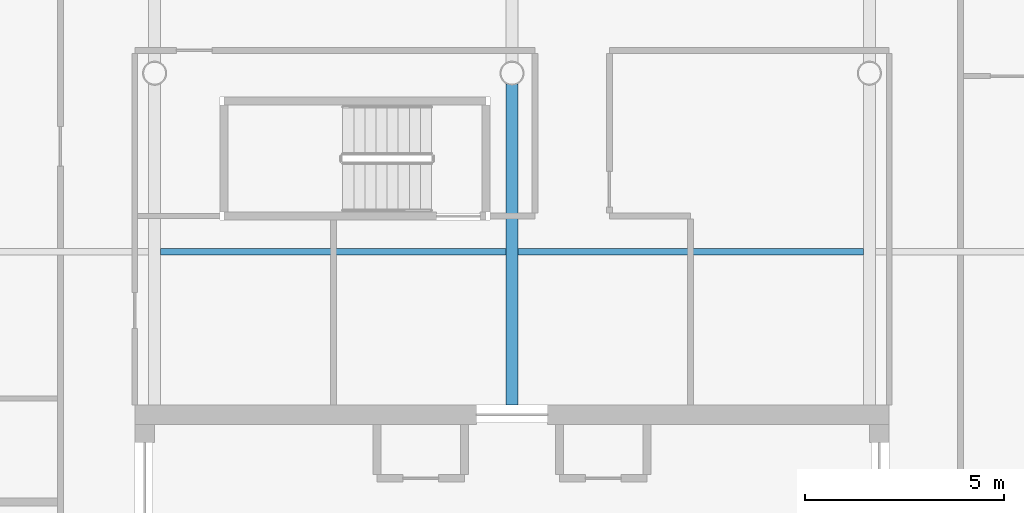
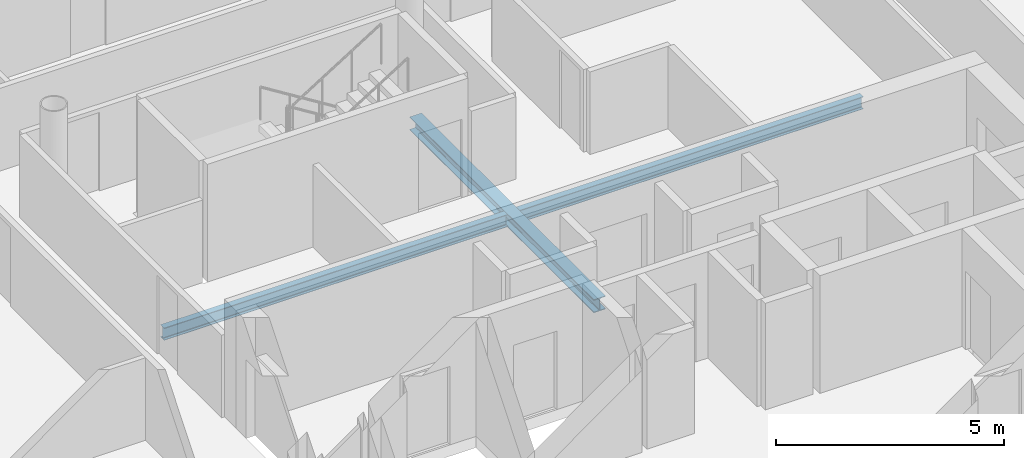
# One storey, part 6 of 19: 3 beams.
"""IFC4 building model written with IfcOpenShell, lengths in metres."""

from ifc_helpers import new_model, si_unit, direction, frame, origin, origin_2d, place, context, subcontext, project, spatial, i_section, extrude, material, material_profile, profile_set, type_object, element, save


model = new_model("IFC4")

# Units and contexts
model_context = context("Model", 3, precision=1e-05, world=origin(), true_north=direction((0.0, 1.0)))
body_context = subcontext(model_context, "Body", "Model", "MODEL_VIEW")
ifc_project = project(units=[si_unit("LENGTHUNIT", "METRE"), si_unit("AREAUNIT", "SQUARE_METRE"), si_unit("VOLUMEUNIT", "CUBIC_METRE"), si_unit("PLANEANGLEUNIT", "RADIAN"), si_unit("MASSUNIT", "GRAM", prefix="KILO")], contexts=[model_context])

# Site, building, storey
site_placement = place(None, origin())
site = spatial("IfcSite", under=ifc_project, at=site_placement, CompositionType="ELEMENT")
building_placement = place(site_placement, origin())
building = spatial("IfcBuilding", under=site, at=building_placement, Name="Tskaro Facet Tower", CompositionType="ELEMENT")
storey_placement = place(building_placement, frame((0.0, 0.0, 206.85009765625)))
storey = spatial("IfcBuildingStorey", under=building, at=storey_placement, Name="L53", CompositionType="ELEMENT", Elevation=206.85009765625)

# Beams
ifc_material = material(Name="Steel S355J2", Category="steel")
ifc_material_profile_1 = material_profile(ifc_material, i_section(OverallWidth=0.300048828125, OverallDepth=0.35009765625, WebThickness=0.010009765625, FlangeThickness=0.017578125, FilletRadius=0.027099609375, at=origin_2d()), Name="HE 360 A")
ifc_profile_set_1 = profile_set([ifc_material_profile_1], Name="Steel S355J2")
beam_type_1 = type_object("IfcBeamType", Name="HE 360 A girder", PredefinedType="BEAM", material=ifc_profile_set_1)
beam_placement = place(storey_placement, frame((0.0, 0.64990234375, -0.315185546875), z_axis=(0.0, 1.0, 0.0), x_axis=(-1.0, 0.0, 0.0)))
element("IfcBeam", 1, at=beam_placement, inside=storey, type_object=beam_type_1, Name="HE 360 A GB4-2-4", PredefinedType="BEAM", context=body_context, shape_type="SweptSolid", body=[
    extrude(i_section(OverallWidth=0.300048828125, OverallDepth=0.35009765625, WebThickness=0.010009765625, FlangeThickness=0.017578125, FilletRadius=0.027099609375, at=origin_2d()), origin(), (0.0, 0.0, 1.0), 8.0751953125),
])
ifc_material_profile_2 = material_profile(ifc_material, i_section(OverallWidth=0.159912109375, OverallDepth=0.330078125, WebThickness=0.007568359375, FlangeThickness=0.011474609375, FilletRadius=0.01806640625, at=origin_2d()), Name="IPE 330")
ifc_profile_set_2 = profile_set([ifc_material_profile_2], Name="Steel S355J2")
beam_type_2 = type_object("IfcBeamType", Name="IPE 330 secondary beam", PredefinedType="BEAM", material=ifc_profile_set_2)
for number, where, z_axis, x_axis, name in (
    (2, (-8.85009765625, 4.5, -0.30517578125), (1.0, 0.0, 0.0), (0.0, 1.0, 0.0), "IPE 330 SB4a-3-4"),
    (3, (0.14990234375, 4.5, -0.30517578125), (1.0, 0.0, 0.0), (0.0, 1.0, 0.0), "IPE 330 SB4a-4-4"),
):
    element("IfcBeam", number, at=place(storey_placement, frame(where, z_axis=z_axis, x_axis=x_axis)), inside=storey, type_object=beam_type_2, Name=name, PredefinedType="BEAM", context=body_context, shape_type="SweptSolid", body=[
        extrude(i_section(OverallWidth=0.159912109375, OverallDepth=0.330078125, WebThickness=0.007568359375, FlangeThickness=0.011474609375, FilletRadius=0.01806640625, at=origin_2d()), origin(), (0.0, 0.0, 1.0), 8.7001953125),
    ])

save(model, "model.ifc")
